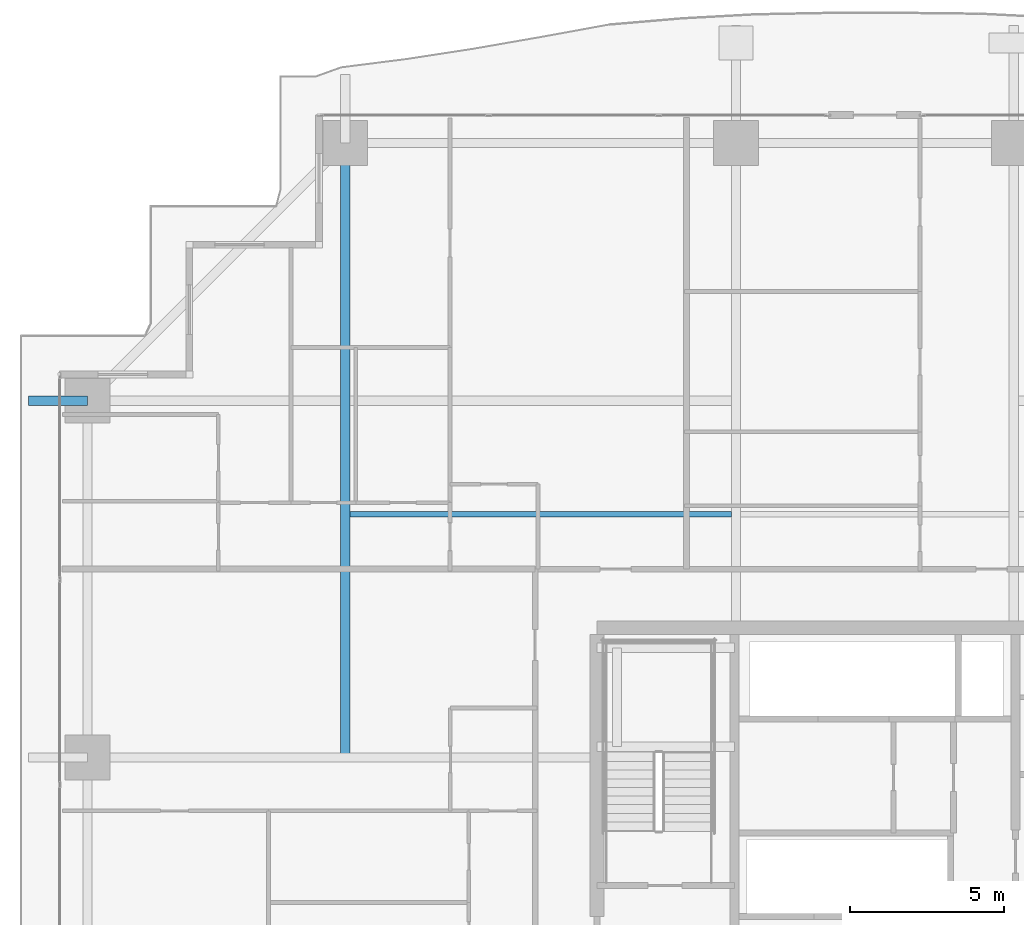
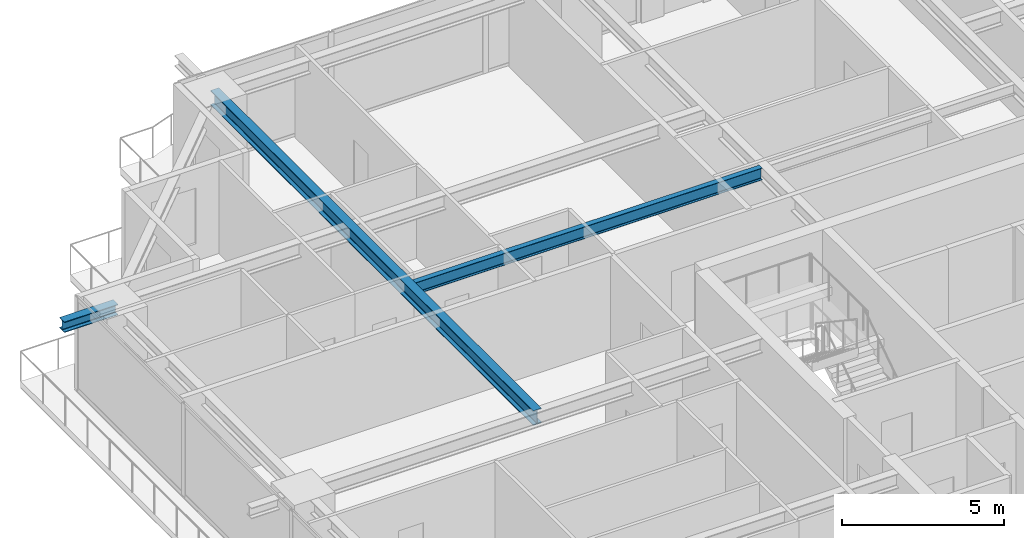
# One storey, part 17 of 37: 3 beams.
"""IFC4 building model written with IfcOpenShell, lengths in metres."""

from ifc_helpers import new_model, si_unit, direction, frame, origin, origin_2d, place, context, subcontext, project, spatial, i_section, extrude, source, transform, mapped, material, material_profile, profile_set, type_object, element, save


model = new_model("IFC4")

# Units and contexts
model_context = context("Model", 3, precision=1e-05, world=origin(), true_north=direction((0.0, 1.0)))
body_context = subcontext(model_context, "Body", "Model", "MODEL_VIEW")
ifc_project = project(units=[si_unit("LENGTHUNIT", "METRE"), si_unit("AREAUNIT", "SQUARE_METRE"), si_unit("VOLUMEUNIT", "CUBIC_METRE"), si_unit("PLANEANGLEUNIT", "RADIAN"), si_unit("MASSUNIT", "GRAM", prefix="KILO")], contexts=[model_context])

# Site, building, storey
site_placement = place(None, origin())
site = spatial("IfcSite", under=ifc_project, at=site_placement, CompositionType="ELEMENT")
building_placement = place(site_placement, origin())
building = spatial("IfcBuilding", under=site, at=building_placement, Name="Serunith Strait Residences", CompositionType="ELEMENT")
storey_placement = place(building_placement, frame((0.0, 0.0, 26.699951171875)))
storey = spatial("IfcBuildingStorey", under=building, at=storey_placement, Name="L05", CompositionType="ELEMENT", Elevation=26.699951171875)

# Beams
ifc_material = material(Name="Steel S355J2", Category="steel")
ifc_material_profile_1 = material_profile(ifc_material, i_section(OverallWidth=0.300048828125, OverallDepth=0.550048828125, WebThickness=0.014892578125, FlangeThickness=0.029052734375, FilletRadius=0.027099609375, at=origin_2d()), Name="HEB 550")
ifc_profile_set_1 = profile_set([ifc_material_profile_1], Name="Steel S355J2")
beam_type_1 = type_object("IfcBeamType", Name="BM-HEB550", PredefinedType="BEAM", material=ifc_profile_set_1)
shared_shape_1 = source(origin(), body_context, "Body", "SweptSolid", [
    extrude(i_section(OverallWidth=0.300048828125, OverallDepth=0.550048828125, WebThickness=0.014892578125, FlangeThickness=0.029052734375, FilletRadius=0.027099609375, at=origin_2d()), origin(), (0.0, 0.0, 1.0), 19.900146484375),
])
beam_1_placement = place(storey_placement, frame((15.25, 29.39990234375, 3.212158203125), z_axis=(0.0, 1.0, 0.0), x_axis=(-1.0, 0.0, 0.0)))
element("IfcBeam", 1, at=beam_1_placement, inside=storey, type_object=beam_type_1, Name="L05 Orthogonal Corner Girder TC-N1", PredefinedType="BEAM", context=body_context, shape_type="MappedRepresentation", body=[
    mapped(shared_shape_1, transform((0.0, 0.0, 0.0), scale=1.0)),
])
ifc_material_profile_2 = material_profile(ifc_material, i_section(OverallWidth=0.18994140625, OverallDepth=0.449951171875, WebThickness=0.009521484375, FlangeThickness=0.0146484375, FilletRadius=0.02099609375, at=origin_2d()), Name="IPE 450")
ifc_profile_set_2 = profile_set([ifc_material_profile_2], Name="Steel S355J2")
beam_type_2 = type_object("IfcBeamType", Name="BM-IPE450", PredefinedType="JOIST", material=ifc_profile_set_2)
shared_shape_2 = source(origin(), body_context, "Body", "SweptSolid", [
    extrude(i_section(OverallWidth=0.18994140625, OverallDepth=0.449951171875, WebThickness=0.009521484375, FlangeThickness=0.0146484375, FilletRadius=0.02099609375, at=origin_2d()), origin(), (0.0, 0.0, 1.0), 12.35009765625),
])
beam_2_placement = place(storey_placement, frame((15.39990234375, 37.27490234375, 3.261962890625), z_axis=(1.0, 0.0, 0.0), x_axis=(0.0, 1.0, 0.0)))
element("IfcBeam", 2, at=beam_2_placement, inside=storey, type_object=beam_type_2, Name="L05 Composite Floor Joist 04", PredefinedType="JOIST", context=body_context, shape_type="MappedRepresentation", body=[
    mapped(shared_shape_2, transform((0.0, 0.0, 0.0), scale=1.0)),
])
ifc_material_profile_3 = material_profile(ifc_material, i_section(OverallWidth=0.300048828125, OverallDepth=0.39990234375, WebThickness=0.013427734375, FlangeThickness=0.02392578125, FilletRadius=0.027099609375, at=origin_2d()), Name="HEB 400")
ifc_profile_set_3 = profile_set([ifc_material_profile_3], Name="Steel S355J2")
beam_type_3 = type_object("IfcBeamType", Name="BM-HEB400", PredefinedType="BEAM", material=ifc_profile_set_3)
shared_shape_3 = source(origin(), body_context, "Body", "SweptSolid", [
    extrude(i_section(OverallWidth=0.300048828125, OverallDepth=0.39990234375, WebThickness=0.013427734375, FlangeThickness=0.02392578125, FilletRadius=0.027099609375, at=origin_2d()), origin(), (0.0, 0.0, 1.0), 1.909912109375),
])
beam_3_placement = place(storey_placement, frame((6.89990234375, 40.949951171875, 3.257080078125), z_axis=(-1.0, 0.0, 0.0), x_axis=(0.0, -1.0, 0.0)))
element("IfcBeam", 3, at=beam_3_placement, inside=storey, type_object=beam_type_3, Name="L06 Cantilevered Balcony Rib TC-W4", PredefinedType="BEAM", context=body_context, shape_type="MappedRepresentation", body=[
    mapped(shared_shape_3, transform((0.0, 0.0, 0.0), scale=1.0)),
])

save(model, "model.ifc")
